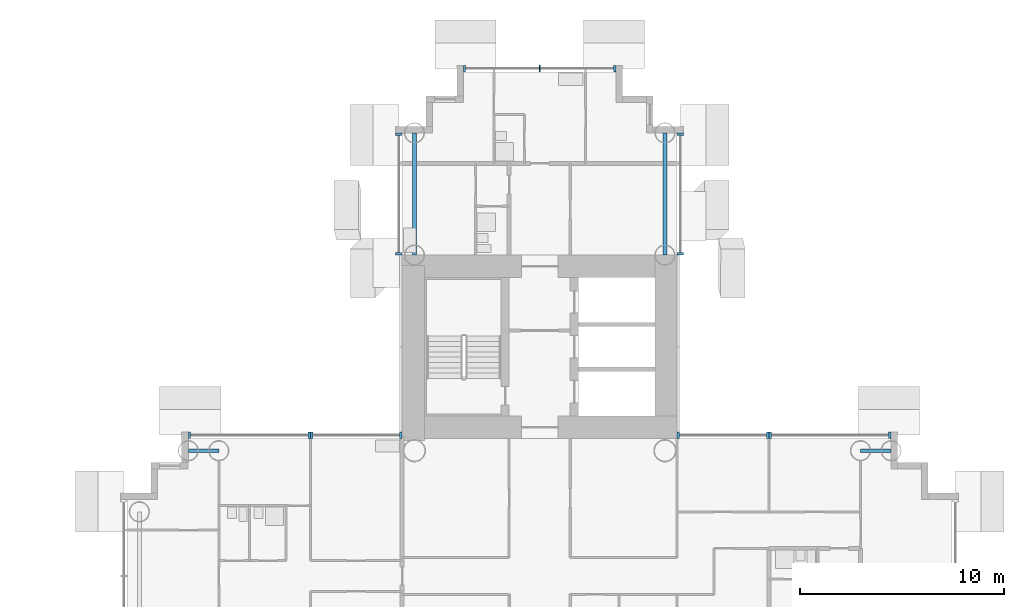
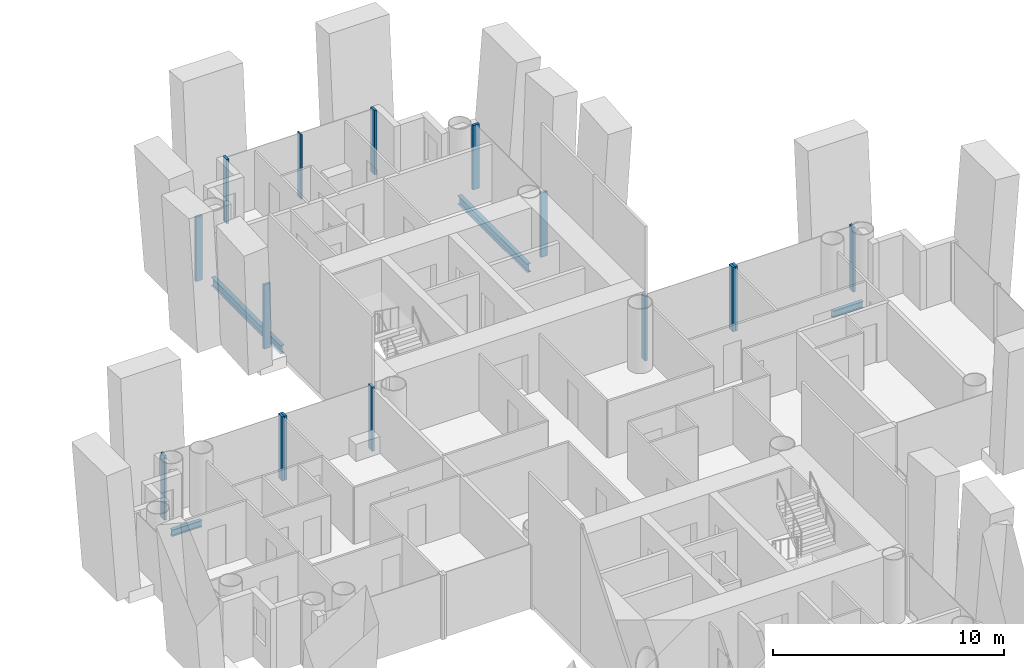
# One storey, part 7 of 25: 15 members, 4 beams, 7 elements without a shape of their own.
"""IFC4 building model written with IfcOpenShell, lengths in metres."""

from ifc_helpers import new_model, si_unit, direction, frame, origin, origin_2d, place, context, subcontext, project, spatial, rectangle, i_section, extrude, material, layer, layer_set, material_profile, profile_set, type_object, element, aggregate, save


model = new_model("IFC4")

# Units and contexts
model_context = context("Model", 3, precision=1e-05, world=origin(), true_north=direction((0.0, 1.0)))
body_context = subcontext(model_context, "Body", "Model", "MODEL_VIEW")
ifc_project = project(units=[si_unit("LENGTHUNIT", "METRE"), si_unit("AREAUNIT", "SQUARE_METRE"), si_unit("VOLUMEUNIT", "CUBIC_METRE"), si_unit("PLANEANGLEUNIT", "RADIAN"), si_unit("MASSUNIT", "GRAM", prefix="KILO")], contexts=[model_context])

# Site, building, storey
site_placement = place(None, origin())
site = spatial("IfcSite", under=ifc_project, at=site_placement, CompositionType="ELEMENT")
building_placement = place(site_placement, origin())
building = spatial("IfcBuilding", under=site, at=building_placement, Name="Ipe Terrace Towers", CompositionType="ELEMENT")
storey_placement = place(building_placement, frame((0.0, 0.0, 58.5)))
storey = spatial("IfcBuildingStorey", under=building, at=storey_placement, Name="L15", CompositionType="ELEMENT", Elevation=58.5)

# Beams
ifc_material_1 = material(Name="Steel S355", Category="steel")
ifc_material_profile_1 = material_profile(ifc_material_1, i_section(OverallWidth=0.175048828125, OverallDepth=0.35009765625, WebThickness=0.007080078125, FlangeThickness=0.010986328125, at=origin_2d()), Name="H-350x175x7x11")
ifc_profile_set_1 = profile_set([ifc_material_profile_1], Name="Steel S355")
beam_type_1 = type_object("IfcBeamType", Name="H04 EDGE BEAM H-350x175x7x11", PredefinedType="BEAM", material=ifc_profile_set_1)
for number, where, z_axis, x_axis, name in (
    (1, (20.25, 6.14990234375, -0.574951171875), (-1.0, 0.0, 0.0), (0.0, -1.0, 0.0), "Edge beam T2-EB-B03-B05"),
    (2, (51.75, 6.14990234375, -0.574951171875), (1.0, 0.0, 0.0), (0.0, 1.0, 0.0), "Edge beam T2-EB-D04-D06"),
):
    element("IfcBeam", number, at=place(storey_placement, frame(where, z_axis=z_axis, x_axis=x_axis)), inside=storey, type_object=beam_type_1, Name=name, PredefinedType="BEAM", context=body_context, shape_type="SweptSolid", body=[
        extrude(i_section(OverallWidth=0.175048828125, OverallDepth=0.35009765625, WebThickness=0.007080078125, FlangeThickness=0.010986328125, at=origin_2d()), origin(), (0.0, 0.0, 1.0), 1.5),
    ])
ifc_material_2 = material(Name="Steel S355", Category="steel")
ifc_material_profile_2 = material_profile(ifc_material_2, i_section(OverallWidth=0.199951171875, OverallDepth=0.449951171875, WebThickness=0.009033203125, FlangeThickness=0.013916015625, at=origin_2d()), Name="H-450x200x9x14")
ifc_profile_set_2 = profile_set([ifc_material_profile_2], Name="Steel S355")
beam_type_2 = type_object("IfcBeamType", Name="H08 EDGE BEAM H-450x200x9x14", PredefinedType="BEAM", material=ifc_profile_set_2)
for number, where, z_axis, x_axis, name in (
    (3, (42.14990234375, 15.75, -0.625), (0.0, 1.0, 0.0), (-1.0, 0.0, 0.0), "Edge beam T2-EB-A01-A03"),
    (4, (29.85009765625, 15.75, -0.625), (0.0, 1.0, 0.0), (-1.0, 0.0, 0.0), "Edge beam T2-EB-A02-A04"),
):
    element("IfcBeam", number, at=place(storey_placement, frame(where, z_axis=z_axis, x_axis=x_axis)), inside=storey, type_object=beam_type_2, Name=name, PredefinedType="BEAM", context=body_context, shape_type="SweptSolid", body=[
        extrude(i_section(OverallWidth=0.199951171875, OverallDepth=0.449951171875, WebThickness=0.009033203125, FlangeThickness=0.013916015625, at=origin_2d()), origin(), (0.0, 0.0, 1.0), 6.0),
    ])

# Curtain wall, members
ifc_material_3 = material(Name="Aluminium alloy 6063-T6", Category="aluminium")
ifc_layer = layer(ifc_material_3, 0.320068359375)
ifc_layer_set = layer_set([ifc_layer], Name="TOWER UNITISED CURTAIN WALL")
curtain_wall_type = type_object("IfcCurtainWallType", Name="TOWER UNITISED CURTAIN WALL", PredefinedType="NOTDEFINED", material=ifc_layer_set)
curtain_wall_1_placement = place(storey_placement, origin())
curtain_wall_1 = element("IfcCurtainWall", 5, at=curtain_wall_1_placement, inside=storey, type_object=curtain_wall_type, Name="T2-CW-L15-17a curtain wall", PredefinedType="NOTDEFINED")
ifc_material_4 = material(Name="Aluminium alloy 6063-T6", Category="aluminium")
ifc_material_profile_3 = material_profile(ifc_material_4, rectangle(XDim=0.320068359375, YDim=0.1201171875, at=origin_2d()), Name="TOWER UNITISED CORNER MULLION 320 x 120")
ifc_profile_set_3 = profile_set([ifc_material_profile_3], Name="Aluminium alloy 6063-T6")
member_type_1 = type_object("IfcMemberType", Name="TOWER UNITISED CORNER MULLION 320 x 120", PredefinedType="MULLION", material=ifc_profile_set_3)
member_1_placement = place(storey_placement, frame((53.18994140625, 6.909912109375, -0.300048828125), z_axis=(0.0, 0.0, 1.0), x_axis=(0.0, 1.0, 0.0)))
member_1 = element("IfcMember", 6, at=member_1_placement, type_object=member_type_1, Name="T2-CW-L15-17a mullion 1", PredefinedType="MULLION", context=body_context, shape_type="SweptSolid", body=[
    extrude(rectangle(XDim=0.320068359375, YDim=0.1201171875, at=origin_2d()), origin(), (0.0, 0.0, 1.0), 3.400146484375),
])
member_2_placement = place(storey_placement, frame((47.31005859375, 6.909912109375, -0.300048828125), z_axis=(0.0, 0.0, 1.0), x_axis=(0.0, 1.0, 0.0)))
member_2 = element("IfcMember", 7, at=member_2_placement, type_object=member_type_1, Name="T2-CW-L15-17a mullion 2", PredefinedType="MULLION", context=body_context, shape_type="SweptSolid", body=[
    extrude(rectangle(XDim=0.320068359375, YDim=0.1201171875, at=origin_2d()), origin(), (0.0, 0.0, 1.0), 3.400146484375),
])
aggregate(curtain_wall_1, [member_1, member_2])

curtain_wall_2_placement = place(storey_placement, origin())
curtain_wall_2 = element("IfcCurtainWall", 8, at=curtain_wall_2_placement, inside=storey, type_object=curtain_wall_type, Name="T2-CW-L15-18a curtain wall", PredefinedType="NOTDEFINED")
member_3_placement = place(storey_placement, frame((47.18994140625, 6.909912109375, -0.300048828125), z_axis=(0.0, 0.0, 1.0), x_axis=(0.0, 1.0, 0.0)))
member_3 = element("IfcMember", 9, at=member_3_placement, type_object=member_type_1, Name="T2-CW-L15-18a mullion 1", PredefinedType="MULLION", context=body_context, shape_type="SweptSolid", body=[
    extrude(rectangle(XDim=0.320068359375, YDim=0.1201171875, at=origin_2d()), origin(), (0.0, 0.0, 1.0), 3.400146484375),
])
member_4_placement = place(storey_placement, frame((42.81005859375, 6.909912109375, -0.300048828125), z_axis=(0.0, 0.0, 1.0), x_axis=(0.0, 1.0, 0.0)))
member_4 = element("IfcMember", 10, at=member_4_placement, type_object=member_type_1, Name="T2-CW-L15-18a mullion 2", PredefinedType="MULLION", context=body_context, shape_type="SweptSolid", body=[
    extrude(rectangle(XDim=0.320068359375, YDim=0.1201171875, at=origin_2d()), origin(), (0.0, 0.0, 1.0), 3.400146484375),
])
aggregate(curtain_wall_2, [member_3, member_4])

curtain_wall_3_placement = place(storey_placement, origin())
curtain_wall_3 = element("IfcCurtainWall", 11, at=curtain_wall_3_placement, inside=storey, type_object=curtain_wall_type, Name="T2-CW-L15-20b curtain wall", PredefinedType="NOTDEFINED")
member_5_placement = place(storey_placement, frame((42.909912109375, 15.81103515625, -0.300048828125), z_axis=(0.0, 0.0, 1.0), x_axis=(1.0, 0.0, 0.0)))
member_5 = element("IfcMember", 12, at=member_5_placement, type_object=member_type_1, Name="T2-CW-L15-20b mullion 1", PredefinedType="MULLION", context=body_context, shape_type="SweptSolid", body=[
    extrude(rectangle(XDim=0.320068359375, YDim=0.1201171875, at=origin_2d()), origin(), (0.0, 0.0, 1.0), 3.400146484375),
])
member_6_placement = place(storey_placement, frame((42.909912109375, 21.68994140625, -0.300048828125), z_axis=(0.0, 0.0, 1.0), x_axis=(1.0, 0.0, 0.0)))
member_6 = element("IfcMember", 13, at=member_6_placement, type_object=member_type_1, Name="T2-CW-L15-20b mullion 2", PredefinedType="MULLION", context=body_context, shape_type="SweptSolid", body=[
    extrude(rectangle(XDim=0.320068359375, YDim=0.1201171875, at=origin_2d()), origin(), (0.0, 0.0, 1.0), 3.400146484375),
])
aggregate(curtain_wall_3, [member_5, member_6])

curtain_wall_4_placement = place(storey_placement, origin())
curtain_wall_4 = element("IfcCurtainWall", 14, at=curtain_wall_4_placement, inside=storey, type_object=curtain_wall_type, Name="T2-CW-L15-25a curtain wall", PredefinedType="NOTDEFINED")
member_7_placement = place(storey_placement, frame((39.68994140625, 24.909912109375, -0.300048828125), z_axis=(0.0, 0.0, 1.0), x_axis=(0.0, 1.0, 0.0)))
member_7 = element("IfcMember", 15, at=member_7_placement, type_object=member_type_1, Name="T2-CW-L15-25a mullion 1", PredefinedType="MULLION", context=body_context, shape_type="SweptSolid", body=[
    extrude(rectangle(XDim=0.320068359375, YDim=0.1201171875, at=origin_2d()), origin(), (0.0, 0.0, 1.0), 3.400146484375),
])
member_8_placement = place(storey_placement, frame((32.31005859375, 24.909912109375, -0.300048828125), z_axis=(0.0, 0.0, 1.0), x_axis=(0.0, 1.0, 0.0)))
member_8 = element("IfcMember", 16, at=member_8_placement, type_object=member_type_1, Name="T2-CW-L15-25a mullion 3", PredefinedType="MULLION", context=body_context, shape_type="SweptSolid", body=[
    extrude(rectangle(XDim=0.320068359375, YDim=0.1201171875, at=origin_2d()), origin(), (0.0, 0.0, 1.0), 3.400146484375),
])

curtain_wall_5_placement = place(storey_placement, origin())
curtain_wall_5 = element("IfcCurtainWall", 17, at=curtain_wall_5_placement, inside=storey, type_object=curtain_wall_type, Name="T2-CW-L15-30a curtain wall", PredefinedType="NOTDEFINED")
member_9_placement = place(storey_placement, frame((29.090087890625, 21.68994140625, -0.300048828125), z_axis=(0.0, 0.0, 1.0), x_axis=(-1.0, 0.0, 0.0)))
member_9 = element("IfcMember", 18, at=member_9_placement, type_object=member_type_1, Name="T2-CW-L15-30a mullion 1", PredefinedType="MULLION", context=body_context, shape_type="SweptSolid", body=[
    extrude(rectangle(XDim=0.320068359375, YDim=0.1201171875, at=origin_2d()), origin(), (0.0, 0.0, 1.0), 3.400146484375),
])
member_10_placement = place(storey_placement, frame((29.090087890625, 15.81103515625, -0.300048828125), z_axis=(0.0, 0.0, 1.0), x_axis=(-1.0, 0.0, 0.0)))
member_10 = element("IfcMember", 19, at=member_10_placement, type_object=member_type_1, Name="T2-CW-L15-30a mullion 2", PredefinedType="MULLION", context=body_context, shape_type="SweptSolid", body=[
    extrude(rectangle(XDim=0.320068359375, YDim=0.1201171875, at=origin_2d()), origin(), (0.0, 0.0, 1.0), 3.400146484375),
])
aggregate(curtain_wall_5, [member_9, member_10])

curtain_wall_6_placement = place(storey_placement, origin())
curtain_wall_6 = element("IfcCurtainWall", 20, at=curtain_wall_6_placement, inside=storey, type_object=curtain_wall_type, Name="T2-CW-L15-32a curtain wall", PredefinedType="NOTDEFINED")
member_11_placement = place(storey_placement, frame((29.18994140625, 6.909912109375, -0.300048828125), z_axis=(0.0, 0.0, 1.0), x_axis=(0.0, 1.0, 0.0)))
member_11 = element("IfcMember", 21, at=member_11_placement, type_object=member_type_1, Name="T2-CW-L15-32a mullion 1", PredefinedType="MULLION", context=body_context, shape_type="SweptSolid", body=[
    extrude(rectangle(XDim=0.320068359375, YDim=0.1201171875, at=origin_2d()), origin(), (0.0, 0.0, 1.0), 3.400146484375),
])
member_12_placement = place(storey_placement, frame((24.81005859375, 6.909912109375, -0.300048828125), z_axis=(0.0, 0.0, 1.0), x_axis=(0.0, 1.0, 0.0)))
member_12 = element("IfcMember", 22, at=member_12_placement, type_object=member_type_1, Name="T2-CW-L15-32a mullion 2", PredefinedType="MULLION", context=body_context, shape_type="SweptSolid", body=[
    extrude(rectangle(XDim=0.320068359375, YDim=0.1201171875, at=origin_2d()), origin(), (0.0, 0.0, 1.0), 3.400146484375),
])
aggregate(curtain_wall_6, [member_11, member_12])

curtain_wall_7_placement = place(storey_placement, origin())
curtain_wall_7 = element("IfcCurtainWall", 23, at=curtain_wall_7_placement, inside=storey, type_object=curtain_wall_type, Name="T2-CW-L15-33a curtain wall", PredefinedType="NOTDEFINED")
member_13_placement = place(storey_placement, frame((24.68994140625, 6.909912109375, -0.300048828125), z_axis=(0.0, 0.0, 1.0), x_axis=(0.0, 1.0, 0.0)))
member_13 = element("IfcMember", 24, at=member_13_placement, type_object=member_type_1, Name="T2-CW-L15-33a mullion 1", PredefinedType="MULLION", context=body_context, shape_type="SweptSolid", body=[
    extrude(rectangle(XDim=0.320068359375, YDim=0.1201171875, at=origin_2d()), origin(), (0.0, 0.0, 1.0), 3.400146484375),
])
member_14_placement = place(storey_placement, frame((18.81005859375, 6.909912109375, -0.300048828125), z_axis=(0.0, 0.0, 1.0), x_axis=(0.0, 1.0, 0.0)))
member_14 = element("IfcMember", 25, at=member_14_placement, type_object=member_type_1, Name="T2-CW-L15-33a mullion 2", PredefinedType="MULLION", context=body_context, shape_type="SweptSolid", body=[
    extrude(rectangle(XDim=0.320068359375, YDim=0.1201171875, at=origin_2d()), origin(), (0.0, 0.0, 1.0), 3.400146484375),
])
aggregate(curtain_wall_7, [member_13, member_14])

# Member
ifc_material_5 = material(Name="Aluminium alloy 6063-T6", Category="aluminium")
ifc_material_profile_4 = material_profile(ifc_material_5, rectangle(XDim=0.320068359375, YDim=0.06494140625, at=origin_2d()), Name="TOWER UNITISED MULLION 320 x 65")
ifc_profile_set_4 = profile_set([ifc_material_profile_4], Name="Aluminium alloy 6063-T6")
member_type_2 = type_object("IfcMemberType", Name="TOWER UNITISED MULLION 320 x 65", PredefinedType="MULLION", material=ifc_profile_set_4)
member_15_placement = place(storey_placement, frame((36.0, 24.909912109375, -0.300048828125), z_axis=(0.0, 0.0, 1.0), x_axis=(0.0, 1.0, 0.0)))
member_15 = element("IfcMember", 26, at=member_15_placement, type_object=member_type_2, Name="T2-CW-L15-25a mullion 2", PredefinedType="MULLION", context=body_context, shape_type="SweptSolid", body=[
    extrude(rectangle(XDim=0.320068359375, YDim=0.06494140625, at=origin_2d()), origin(), (0.0, 0.0, 1.0), 3.400146484375),
])

aggregate(curtain_wall_4, [member_7, member_15, member_8])

save(model, "model.ifc")
